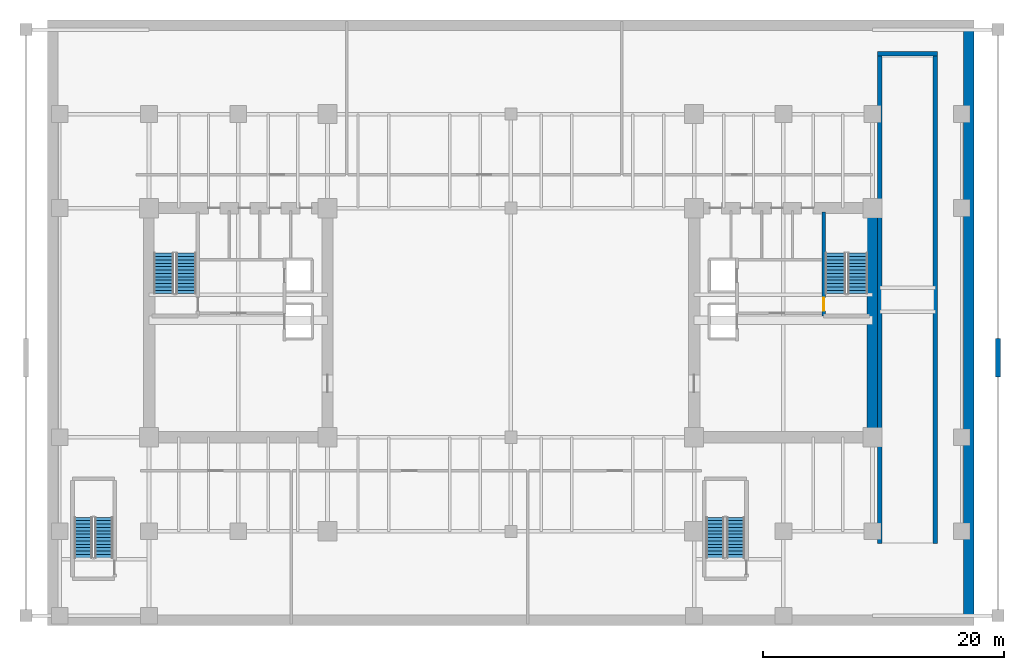
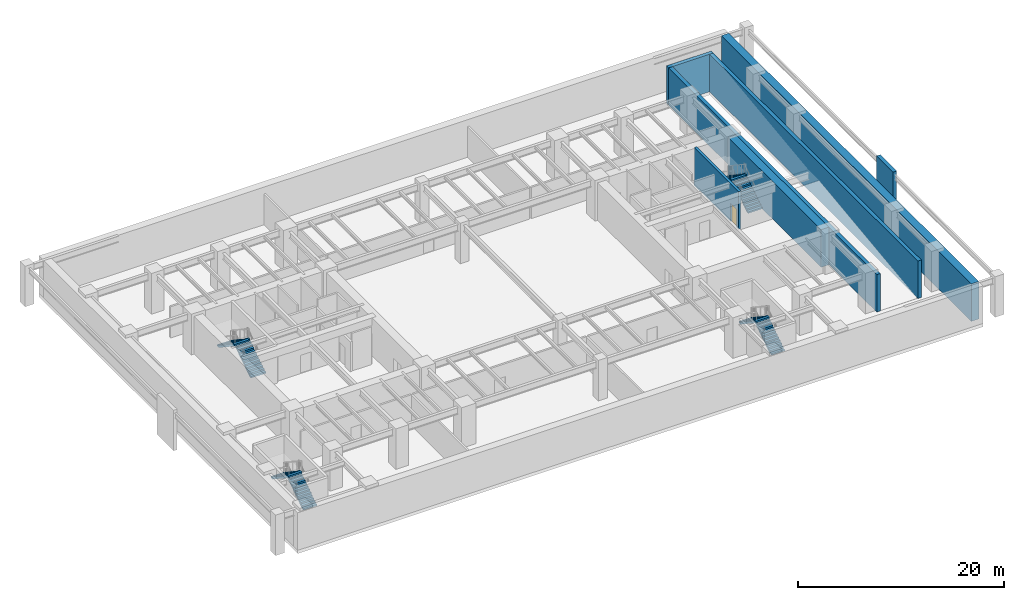
# One storey, part 5 of 7: 8 stair flights, 7 walls, 1 door, 1 opening, 4 elements without a shape of their own.
"""IFC4 building model written with IfcOpenShell, lengths in metres."""

import ifcopenshell
import ifcopenshell.guid

model = None  # the IFC model being written
_history = None  # IfcOwnerHistory: only IFC2X3 demands one
_inside = {}  # id of a spatial element -> (the spatial element, [elements in it])
_under = {}  # id of a project, library or spatial element -> (it, [spatial elements below it])
_declared = {}  # id of a project -> (the project, [libraries it declares])
_typed = {}  # id of a type object -> (the type object, [elements of that type])
_made_of = {}  # id of a material, layer set ... -> (it, [elements and type objects made of it])


def new_model(schema):
    """Start an empty IFC model of exactly this schema.

    Asked for "IFC4X3", IfcOpenShell would pick the latest addendum, in which some entities
    have other attributes; the version numbers below select the first issue.
    IFC2X3 requires an IfcOwnerHistory on every rooted entity: one is made here for all.
    """
    global model, _history
    if schema == "IFC4X3":
        model = ifcopenshell.file(schema_version=(4, 3, 0, 0))
    else:
        model = ifcopenshell.file(schema=schema)
    _inside.clear()
    _under.clear()
    _declared.clear()
    _typed.clear()
    _made_of.clear()
    _history = None
    if model.schema == "IFC2X3":
        org = make("IfcOrganization", Name="unknown")
        user = make(
            "IfcPersonAndOrganization",
            ThePerson=make("IfcPerson", FamilyName="unknown"),
            TheOrganization=org,
        )
        app = make(
            "IfcApplication",
            ApplicationDeveloper=org,
            Version="unknown",
            ApplicationFullName="unknown",
            ApplicationIdentifier="unknown",
        )
        _history = make(
            "IfcOwnerHistory",
            OwningUser=user,
            OwningApplication=app,
            ChangeAction="ADDED",
            CreationDate=0,
        )
    return model


def make(cls, **values):
    """One entity of the class cls with the attributes given. An attribute that is None is left unset."""
    return model.create_entity(
        cls, **{name: value for name, value in values.items() if value is not None}
    )


def rooted(cls, **values):
    """An entity with a GlobalId (a new one), such as an element, a storey or a relation."""
    return make(cls, GlobalId=ifcopenshell.guid.new(), OwnerHistory=_history, **values)


def si_unit(unit_type, name, prefix=None):
    """IfcSIUnit, for example si_unit("LENGTHUNIT", "METRE", prefix="MILLI")."""
    return make("IfcSIUnit", UnitType=unit_type, Prefix=prefix, Name=name)


def assignment(units):
    """IfcUnitAssignment: the units of a project."""
    return None if units is None else make("IfcUnitAssignment", Units=units)


def point(xyz):
    """IfcCartesianPoint."""
    return None if xyz is None else make("IfcCartesianPoint", Coordinates=xyz)


def direction(xyz):
    """IfcDirection."""
    return None if xyz is None else make("IfcDirection", DirectionRatios=xyz)


def frame(location, z_axis=None, x_axis=None):
    """IfcAxis2Placement3D, a coordinate frame: its origin and axes. An axis left out is left unset."""
    return make(
        "IfcAxis2Placement3D",
        Location=point(location),
        Axis=direction(z_axis),
        RefDirection=direction(x_axis),
    )


def frame_2d(location, x_axis=None):
    """IfcAxis2Placement2D, a coordinate frame in the plane: its origin and x axis."""
    return make(
        "IfcAxis2Placement2D", Location=point(location), RefDirection=direction(x_axis)
    )


def origin():
    """The frame at (0, 0, 0) with its axes left unset."""
    return frame((0.0, 0.0, 0.0))


def place(relative_to, where):
    """IfcLocalPlacement: puts the frame where relative to a parent placement (None: the world)."""
    return make(
        "IfcLocalPlacement", PlacementRelTo=relative_to, RelativePlacement=where
    )


def context(
    kind, dimensions, precision=None, world=None, true_north=None, identifier=None
):
    """IfcGeometricRepresentationContext, for example the 3D "Model" context."""
    return make(
        "IfcGeometricRepresentationContext",
        ContextIdentifier=identifier,
        ContextType=kind,
        CoordinateSpaceDimension=dimensions,
        Precision=precision,
        WorldCoordinateSystem=world,
        TrueNorth=true_north,
    )


def subcontext(parent, identifier, kind, view, scale=None):
    """IfcGeometricRepresentationSubContext, for example "Body" below "Model"."""
    return make(
        "IfcGeometricRepresentationSubContext",
        ContextIdentifier=identifier,
        ContextType=kind,
        ParentContext=parent,
        TargetScale=scale,
        TargetView=view,
    )


def project(units=None, contexts=None):
    """IfcProject with its units and contexts."""
    return rooted(
        "IfcProject",
        Name="project",
        RepresentationContexts=contexts,
        UnitsInContext=assignment(units),
    )


def spatial(cls, under=None, at=None, **own):
    """A site, building, storey or space (cls), placed at a placement, below another one or the project."""
    s = rooted(cls, ObjectPlacement=at, **own)
    if under is not None:
        _under.setdefault(under.id(), (under, []))[1].append(s)
    return s


def polyline(points):
    """IfcPolyline through the points."""
    return make("IfcPolyline", Points=[point(p) for p in points])


def profile(cls, at=None, kind="AREA", **sizes):
    """A parametric profile (cls). Its sizes go by their IFC names, for example OverallWidth=200.0."""
    return make(cls, ProfileType=kind, Position=at, **sizes)


def rectangle(**sizes):
    """IfcRectangleProfileDef."""
    return profile("IfcRectangleProfileDef", **sizes)


def outline(outer, holes=None, kind="AREA"):
    """IfcArbitraryClosedProfileDef: a profile drawn as a closed curve; with holes, ...WithVoids."""
    if holes is None:
        return make("IfcArbitraryClosedProfileDef", ProfileType=kind, OuterCurve=outer)
    return make(
        "IfcArbitraryProfileDefWithVoids",
        ProfileType=kind,
        OuterCurve=outer,
        InnerCurves=holes,
    )


def extrude(swept, where, along, depth):
    """IfcExtrudedAreaSolid: the profile swept, set in the frame where, extruded along a direction by depth."""
    return make(
        "IfcExtrudedAreaSolid",
        SweptArea=swept,
        Position=where,
        ExtrudedDirection=direction(along),
        Depth=depth,
    )


def shape(context_of_items, identifier, shape_type, items):
    """IfcShapeRepresentation: the items that make up one representation, for example the "Body"."""
    return make(
        "IfcShapeRepresentation",
        ContextOfItems=context_of_items,
        RepresentationIdentifier=identifier,
        RepresentationType=shape_type,
        Items=items,
    )


def source(mapping_origin, context_of_items, identifier, shape_type, items):
    """IfcRepresentationMap: a shape defined once, which mapped items show again and again."""
    return make(
        "IfcRepresentationMap",
        MappingOrigin=mapping_origin,
        MappedRepresentation=shape(context_of_items, identifier, shape_type, items),
    )


def transform(
    local_origin,
    x_axis=None,
    y_axis=None,
    z_axis=None,
    scale=None,
    scale2=None,
    scale3=None,
    uniform=True,
):
    """IfcCartesianTransformationOperator3D, or its non-uniform kind. x_axis, y_axis, z_axis: its Axis1, 2, 3."""
    if uniform:
        return make(
            "IfcCartesianTransformationOperator3D",
            Axis1=direction(x_axis),
            Axis2=direction(y_axis),
            LocalOrigin=point(local_origin),
            Scale=scale,
            Axis3=direction(z_axis),
        )
    return make(
        "IfcCartesianTransformationOperator3DnonUniform",
        Axis1=direction(x_axis),
        Axis2=direction(y_axis),
        LocalOrigin=point(local_origin),
        Scale=scale,
        Axis3=direction(z_axis),
        Scale2=scale2,
        Scale3=scale3,
    )


def mapped(mapping_source, mapping_target):
    """IfcMappedItem: shows the shape of a source again, moved by a transform."""
    return make(
        "IfcMappedItem", MappingSource=mapping_source, MappingTarget=mapping_target
    )


def material(Name=None, Category=None):
    """IfcMaterial."""
    return make("IfcMaterial", Name=Name, Category=Category)


def layer(
    of_material, thickness, ventilated=None, Name=None, Category=None, Priority=None
):
    """IfcMaterialLayer: one layer of a wall or slab, of a material (None: an air gap)."""
    return make(
        "IfcMaterialLayer",
        Material=of_material,
        LayerThickness=thickness,
        IsVentilated=ventilated,
        Name=Name,
        Category=Category,
        Priority=Priority,
    )


def layer_set(layers, Name=None):
    """IfcMaterialLayerSet."""
    return make("IfcMaterialLayerSet", MaterialLayers=layers, LayerSetName=Name)


def made_of(thing, what):
    """Note that an element or type object is made of a material, layer set ...; save() writes the relation."""
    if what is not None:
        _made_of.setdefault(what.id(), (what, []))[1].append(thing)
    return thing


def type_object(cls, material=None, **own):
    """A type object (cls), such as IfcWallType, which elements share."""
    return made_of(rooted(cls, **own), material)


def type_shapes(of_type, sources):
    """Give a type object the sources (RepresentationMaps) that its elements show as mapped items."""
    of_type.RepresentationMaps = sources


def element(
    cls,
    number,
    at=None,
    inside=None,
    cuts=None,
    type_object=None,
    material=None,
    context=None,
    identifier="Body",
    shape_type=None,
    held_by="IfcProductDefinitionShape",
    body=None,
    shapes=None,
    **own,
):
    """One element of the class cls, such as IfcWall. Its Tag is "e" and its number.

    at: its placement. inside: the storey or other place that contains it. cuts: it is an
    opening in that element (IfcRelVoidsElement). A single representation is given by context,
    identifier, shape_type and body (its items); several are given by shapes. held_by: the class
    of the entity that holds the representations. save() writes the other relations.
    """
    e = rooted(cls, Tag="e%d" % number, ObjectPlacement=at, **own)
    if body is not None:
        shapes = [shape(context, identifier, shape_type, body)]
    if shapes is not None:
        e.Representation = make(held_by, Representations=shapes)
    if inside is not None:
        _inside.setdefault(inside.id(), (inside, []))[1].append(e)
    if cuts is not None:
        rooted(
            "IfcRelVoidsElement", RelatingBuildingElement=cuts, RelatedOpeningElement=e
        )
    if type_object is not None:
        _typed.setdefault(type_object.id(), (type_object, []))[1].append(e)
    return made_of(e, material)


def fill(opening, filler):
    """IfcRelFillsElement: the door or window that sits in an opening."""
    return rooted(
        "IfcRelFillsElement",
        RelatingOpeningElement=opening,
        RelatedBuildingElement=filler,
    )


def aggregate(whole, parts):
    """IfcRelAggregates: a whole, such as a stair, and the parts it consists of."""
    return rooted("IfcRelAggregates", RelatingObject=whole, RelatedObjects=parts)


def save(model, path):
    """Write the relations noted so far, then the file.

    IfcRelAggregates (storeys below a building ...), IfcRelContainedInSpatialStructure (elements
    in a storey), IfcRelDefinesByType, IfcRelAssociatesMaterial and IfcRelDeclares: one each for
    every whole, place, type object, material and project.
    """
    for whole, parts in _under.values():
        aggregate(whole, parts)
    for where, things in _inside.values():
        rooted(
            "IfcRelContainedInSpatialStructure",
            RelatedElements=things,
            RelatingStructure=where,
        )
    for kind, things in _typed.values():
        rooted("IfcRelDefinesByType", RelatedObjects=things, RelatingType=kind)
    for what, things in _made_of.values():
        rooted("IfcRelAssociatesMaterial", RelatedObjects=things, RelatingMaterial=what)
    for by, libraries in _declared.values():
        rooted("IfcRelDeclares", RelatingContext=by, RelatedDefinitions=libraries)
    model.write(path)


model = new_model("IFC4")

# Units and contexts
model_context = context("Model", 3, precision=1e-05, world=origin(), true_north=direction((0.0, 1.0)))
body_context = subcontext(model_context, "Body", "Model", "MODEL_VIEW")
ifc_project = project(units=[si_unit("LENGTHUNIT", "METRE"), si_unit("AREAUNIT", "SQUARE_METRE"), si_unit("VOLUMEUNIT", "CUBIC_METRE"), si_unit("PLANEANGLEUNIT", "RADIAN"), si_unit("MASSUNIT", "GRAM", prefix="KILO")], contexts=[model_context])

# Site, building, storey
site_placement = place(None, origin())
site = spatial("IfcSite", under=ifc_project, at=site_placement, CompositionType="ELEMENT")
building_placement = place(site_placement, origin())
building = spatial("IfcBuilding", under=site, at=building_placement, Name="Haelvirn Gate Laboratories", CompositionType="ELEMENT")
storey_placement = place(building_placement, frame((0.0, 0.0, -4.800048828125)))
storey = spatial("IfcBuildingStorey", under=building, at=storey_placement, Name="B1", CompositionType="ELEMENT", Elevation=-4.800048828125)

# Walls
ifc_material_1 = material(Name="Concrete C70/85", Category="concrete")
ifc_layer_1 = layer(ifc_material_1, 0.949951171875, Name="SW-CORE-950")
ifc_layer_set_1 = layer_set([ifc_layer_1], Name="Concrete C70/85")
wall_type_1 = type_object("IfcWallType", Name="SW-CORE-950", PredefinedType="SHEAR", material=ifc_layer_set_1)
wall_1_placement = place(storey_placement, frame((67.39990234375, 15.27490234375, 0.0), z_axis=(0.0, 0.0, 1.0), x_axis=(0.0, 1.0, 0.0)))
element("IfcWall", 1, at=wall_1_placement, inside=storey, type_object=wall_type_1, Name="B1 E Core Shear Wall E", PredefinedType="SHEAR", context=body_context, shape_type="SweptSolid", body=[
    extrude(rectangle(XDim=18.050048828125, YDim=0.949951171875, at=frame_2d((9.02490234375, 0.0))), origin(), (0.0, 0.0, 1.0), 4.449951171875),
])
ifc_material_2 = material(Name="Concrete C50/60", Category="concrete")
ifc_layer_2 = layer(ifc_material_2, 0.39990234375, Name="SW-PLINTH-400")
ifc_layer_set_2 = layer_set([ifc_layer_2], Name="Concrete C50/60")
wall_type_2 = type_object("IfcWallType", Name="SW-PLINTH-400", PredefinedType="SOLIDWALL", material=ifc_layer_set_2)
wall_2_placement = place(storey_placement, frame((77.800048828125, 19.800048828125, 0.0), z_axis=(0.0, 0.0, 1.0), x_axis=(0.0, 1.0, 0.0)))
element("IfcWall", 2, at=wall_2_placement, inside=storey, type_object=wall_type_2, Name="B1 East Accessible Ramp Plinth Wall", PredefinedType="SOLIDWALL", context=body_context, shape_type="SweptSolid", body=[
    extrude(rectangle(XDim=3.199951171875, YDim=0.39990234375, at=frame_2d((1.60009765625, 0.0))), origin(), (0.0, 0.0, 1.0), 4.7900390625),
])
ifc_layer_3 = layer(ifc_material_2, 0.39990234375, Name="SW-RAMP-400")
ifc_layer_set_3 = layer_set([ifc_layer_3], Name="Concrete C50/60")
wall_type_3 = type_object("IfcWallType", Name="SW-RAMP-400", PredefinedType="SHEAR", material=ifc_layer_set_3)
for number, where, z_axis, x_axis, name in (
    (3, (68.0, 6.0, 0.0), (0.0, 0.0, 1.0), (0.0, 1.0, 0.0), "B1 Vehicle Ramp Enclosure Wall W"),
    (4, (72.60009765625, 6.0, 0.0), (0.0, 0.0, 1.0), (0.0, 1.0, 0.0), "B1 Vehicle Ramp Enclosure Wall E"),
):
    element("IfcWall", number, at=place(storey_placement, frame(where, z_axis=z_axis, x_axis=x_axis)), inside=storey, type_object=wall_type_3, Name=name, PredefinedType="SHEAR", context=body_context, shape_type="SweptSolid", body=[
        extrude(rectangle(XDim=40.39990234375, YDim=0.39990234375, at=frame_2d((20.199951171875, 0.0))), origin(), (0.0, 0.0, 1.0), 4.449951171875),
    ])
wall_3_placement = place(storey_placement, frame((67.800048828125, 46.60009765625, 0.0), z_axis=(0.0, 0.0, 1.0), x_axis=(1.0, 0.0, 0.0)))
element("IfcWall", 5, at=wall_3_placement, inside=storey, type_object=wall_type_3, Name="B1 Vehicle Ramp Headwall North", PredefinedType="SHEAR", context=body_context, shape_type="SweptSolid", body=[
    extrude(rectangle(XDim=5.0, YDim=0.39990234375, at=frame_2d((2.5, 0.0))), origin(), (0.0, 0.0, 1.0), 4.449951171875),
])
ifc_layer_4 = layer(ifc_material_2, 0.85009765625, Name="SW-RET-850")
ifc_layer_set_4 = layer_set([ifc_layer_4], Name="Concrete C50/60")
wall_type_4 = type_object("IfcWallType", Name="SW-RET-850", PredefinedType="SOLIDWALL", material=ifc_layer_set_4)
wall_4_placement = place(storey_placement, frame((75.375, 0.050048828125, 0.0), z_axis=(0.0, 0.0, 1.0), x_axis=(0.0, 1.0, 0.0)))
element("IfcWall", 6, at=wall_4_placement, inside=storey, type_object=wall_type_4, Name="B1 Perimeter Diaphragm Wall E", PredefinedType="SOLIDWALL", context=body_context, shape_type="SweptSolid", body=[
    extrude(rectangle(XDim=48.5, YDim=0.85009765625, at=frame_2d((24.25, 0.0))), origin(), (0.0, 0.0, 1.0), 4.449951171875),
])

# Wall, opening, door
ifc_layer_5 = layer(ifc_material_2, 0.300048828125, Name="SW-STAIR-300")
ifc_layer_set_5 = layer_set([ifc_layer_5], Name="Concrete C50/60")
wall_type_5 = type_object("IfcWallType", Name="SW-STAIR-300", PredefinedType="SHEAR", material=ifc_layer_set_5)
wall_5_placement = place(storey_placement, frame((63.35009765625, 24.85009765625, 0.0), z_axis=(0.0, 0.0, 1.0), x_axis=(0.0, 1.0, 0.0)))
wall_5 = element("IfcWall", 7, at=wall_5_placement, inside=storey, type_object=wall_type_5, Name="B1 E Core Stair Shaft Structural Wall IN", PredefinedType="SHEAR", context=body_context, shape_type="SweptSolid", body=[
    extrude(rectangle(XDim=8.6298828125, YDim=0.300048828125, at=frame_2d((4.31494140625, 0.0))), origin(), (0.0, 0.0, 1.0), 4.449951171875),
])
opening_placement = place(wall_5_placement, frame((0.419921875, 0.0, 0.0)))
opening = element("IfcOpeningElement", 8, at=opening_placement, cuts=wall_5, Name="Opening FD3", PredefinedType="OPENING", context=body_context, shape_type="SweptSolid", body=[
    extrude(rectangle(XDim=1.10009765625, YDim=2.14990234375, at=frame_2d((0.550048828125, 1.074951171875))), frame((0.0, 0.16015625, 0.0), z_axis=(0.0, -1.0, 0.0), x_axis=(1.0, 0.0, 0.0)), (0.0, 0.0, 1.0), 0.320068359375),
])
ifc_material_3 = material(Name="Fire-rated steel SM355 escape stair door", Category="steel")
door_type = type_object("IfcDoorType", Name="DR-FD-1100", OperationType="NOTDEFINED", PredefinedType="DOOR", material=ifc_material_3)
shared_shape_1 = source(origin(), body_context, "Body", "SweptSolid", [
    extrude(rectangle(XDim=1.10009765625, YDim=2.14990234375, at=frame_2d((0.550048828125, 1.074951171875))), frame((0.0, 0.02490234375, 0.0), z_axis=(0.0, -1.0, 0.0), x_axis=(1.0, 0.0, 0.0)), (0.0, 0.0, 1.0), 0.050048828125),
])
type_shapes(door_type, [shared_shape_1])
door_placement = place(opening_placement, origin())
door = element("IfcDoor", 9, at=door_placement, inside=storey, type_object=door_type, Name="B1 Escape Stair ST2 Fire Door", OperationType="SINGLE_SWING_RIGHT", OverallHeight=2.14990234375, OverallWidth=1.10009765625, PredefinedType="DOOR", context=body_context, shape_type="MappedRepresentation", body=[
    mapped(shared_shape_1, transform((0.0, 0.0, 0.0), scale=1.0)),
])
fill(opening, door)

# Stair, stair flights
ifc_material_4 = material(Name="Concrete C40/50", Category="concrete")
stair_type_1 = type_object("IfcStairType", Name="ST-DOG-1650-R26", PredefinedType="HALF_TURN_STAIR", material=ifc_material_4)
stair_1_placement = place(storey_placement, origin())
stair_1 = element("IfcStair", 10, at=stair_1_placement, inside=storey, type_object=stair_type_1, Name="B1 Escape Stair ST1", PredefinedType="HALF_TURN_STAIR")
stair_flight_type_1 = type_object("IfcStairFlightType", Name="STF-1650-R13", PredefinedType="STRAIGHT", material=ifc_material_4)
shared_shape_2 = source(origin(), body_context, "Body", "SweptSolid", [
    extrude(outline(polyline([(0.0, 0.0), (0.0, 0.1845703125), (0.280029296875, 0.1845703125), (0.280029296875, 0.369140625), (0.56005859375, 0.369140625), (0.56005859375, 0.553955078125), (0.840087890625, 0.553955078125), (0.840087890625, 0.738525390625), (1.1201171875, 0.738525390625), (1.1201171875, 0.923095703125), (1.39990234375, 0.923095703125), (1.39990234375, 1.107666015625), (1.679931640625, 1.107666015625), (1.679931640625, 1.292236328125), (1.9599609375, 1.292236328125), (1.9599609375, 1.476806640625), (2.239990234375, 1.476806640625), (2.239990234375, 1.66162109375), (2.52001953125, 1.66162109375), (2.52001953125, 1.84619140625), (2.800048828125, 1.84619140625), (2.800048828125, 2.03076171875), (3.080078125, 2.03076171875), (3.080078125, 2.21533203125), (3.360107421875, 2.21533203125), (3.360107421875, 2.39990234375), (3.360107421875, 2.02392578125), (0.29052734375, 0.0), (0.0, 0.0)])), frame((0.0, 0.824951171875, 0.0), z_axis=(0.0, -1.0, 0.0), x_axis=(1.0, 0.0, 0.0)), (0.0, 0.0, 1.0), 1.64990234375),
])
type_shapes(stair_flight_type_1, [shared_shape_2])
stair_flight_1_placement = place(storey_placement, frame((10.47509765625, 26.699951171875, 0.0), z_axis=(0.0, 0.0, 1.0), x_axis=(0.0, 1.0, 0.0)))
stair_flight_1 = element("IfcStairFlight", 11, at=stair_flight_1_placement, type_object=stair_flight_type_1, Name="ST1 flight 1", NumberOfRisers=13, NumberOfTreads=12, PredefinedType="STRAIGHT", RiserHeight=0.184615385, TreadLength=0.28, context=body_context, shape_type="MappedRepresentation", body=[
    mapped(shared_shape_2, transform((0.0, 0.0, 0.0), scale=1.0)),
])
stair_flight_2_placement = place(storey_placement, frame((8.625, 30.06005859375, 2.400146484375), z_axis=(0.0, 0.0, 1.0), x_axis=(0.0, -1.0, 0.0)))
stair_flight_2 = element("IfcStairFlight", 12, at=stair_flight_2_placement, type_object=stair_flight_type_1, Name="ST1 flight 2", NumberOfRisers=13, NumberOfTreads=12, PredefinedType="STRAIGHT", RiserHeight=0.184615385, TreadLength=0.28, context=body_context, shape_type="MappedRepresentation", body=[
    mapped(shared_shape_2, transform((0.0, 0.0, 0.0), scale=1.0)),
])
aggregate(stair_1, [stair_flight_1, stair_flight_2])

stair_2_placement = place(storey_placement, origin())
stair_2 = element("IfcStair", 13, at=stair_2_placement, inside=storey, type_object=stair_type_1, Name="B1 Escape Stair ST2", PredefinedType="HALF_TURN_STAIR")
stair_flight_3_placement = place(storey_placement, frame((66.175048828125, 26.699951171875, 0.0), z_axis=(0.0, 0.0, 1.0), x_axis=(0.0, 1.0, 0.0)))
stair_flight_3 = element("IfcStairFlight", 14, at=stair_flight_3_placement, type_object=stair_flight_type_1, Name="ST2 flight 1", NumberOfRisers=13, NumberOfTreads=12, PredefinedType="STRAIGHT", RiserHeight=0.184615385, TreadLength=0.28, context=body_context, shape_type="MappedRepresentation", body=[
    mapped(shared_shape_2, transform((0.0, 0.0, 0.0), scale=1.0)),
])
stair_flight_4_placement = place(storey_placement, frame((64.324951171875, 30.06005859375, 2.400146484375), z_axis=(0.0, 0.0, 1.0), x_axis=(0.0, -1.0, 0.0)))
stair_flight_4 = element("IfcStairFlight", 15, at=stair_flight_4_placement, type_object=stair_flight_type_1, Name="ST2 flight 2", NumberOfRisers=13, NumberOfTreads=12, PredefinedType="STRAIGHT", RiserHeight=0.184615385, TreadLength=0.28, context=body_context, shape_type="MappedRepresentation", body=[
    mapped(shared_shape_2, transform((0.0, 0.0, 0.0), scale=1.0)),
])
aggregate(stair_2, [stair_flight_3, stair_flight_4])

stair_type_2 = type_object("IfcStairType", Name="ST-DOG-1500-R26", PredefinedType="HALF_TURN_STAIR", material=ifc_material_4)
stair_3_placement = place(storey_placement, origin())
stair_3 = element("IfcStair", 16, at=stair_3_placement, inside=storey, type_object=stair_type_2, Name="B1 Escape Stair ST3", PredefinedType="HALF_TURN_STAIR")
stair_flight_type_2 = type_object("IfcStairFlightType", Name="STF-1500-R13", PredefinedType="STRAIGHT", material=ifc_material_4)
shared_shape_3 = source(origin(), body_context, "Body", "SweptSolid", [
    extrude(outline(polyline([(0.0, 0.0), (0.0, 0.1845703125), (0.280029296875, 0.1845703125), (0.280029296875, 0.369140625), (0.56005859375, 0.369140625), (0.56005859375, 0.553955078125), (0.840087890625, 0.553955078125), (0.840087890625, 0.738525390625), (1.1201171875, 0.738525390625), (1.1201171875, 0.923095703125), (1.39990234375, 0.923095703125), (1.39990234375, 1.107666015625), (1.679931640625, 1.107666015625), (1.679931640625, 1.292236328125), (1.9599609375, 1.292236328125), (1.9599609375, 1.476806640625), (2.239990234375, 1.476806640625), (2.239990234375, 1.66162109375), (2.52001953125, 1.66162109375), (2.52001953125, 1.84619140625), (2.800048828125, 1.84619140625), (2.800048828125, 2.03076171875), (3.080078125, 2.03076171875), (3.080078125, 2.21533203125), (3.360107421875, 2.21533203125), (3.360107421875, 2.39990234375), (3.360107421875, 2.02392578125), (0.29052734375, 0.0), (0.0, 0.0)])), frame((0.0, 0.75, 0.0), z_axis=(0.0, -1.0, 0.0), x_axis=(1.0, 0.0, 0.0)), (0.0, 0.0, 1.0), 1.5),
])
type_shapes(stair_flight_type_2, [shared_shape_3])
stair_flight_5_placement = place(storey_placement, frame((3.64990234375, 4.800048828125, 0.0), z_axis=(0.0, 0.0, 1.0), x_axis=(0.0, 1.0, 0.0)))
stair_flight_5 = element("IfcStairFlight", 17, at=stair_flight_5_placement, type_object=stair_flight_type_2, Name="ST3 flight 1", NumberOfRisers=13, NumberOfTreads=12, PredefinedType="STRAIGHT", RiserHeight=0.184615385, TreadLength=0.28, context=body_context, shape_type="MappedRepresentation", body=[
    mapped(shared_shape_3, transform((0.0, 0.0, 0.0), scale=1.0)),
])
stair_flight_6_placement = place(storey_placement, frame((1.949951171875, 8.159912109375, 2.400146484375), z_axis=(0.0, 0.0, 1.0), x_axis=(0.0, -1.0, 0.0)))
stair_flight_6 = element("IfcStairFlight", 18, at=stair_flight_6_placement, type_object=stair_flight_type_2, Name="ST3 flight 2", NumberOfRisers=13, NumberOfTreads=12, PredefinedType="STRAIGHT", RiserHeight=0.184615385, TreadLength=0.28, context=body_context, shape_type="MappedRepresentation", body=[
    mapped(shared_shape_3, transform((0.0, 0.0, 0.0), scale=1.0)),
])
aggregate(stair_3, [stair_flight_5, stair_flight_6])

stair_4_placement = place(storey_placement, origin())
stair_4 = element("IfcStair", 19, at=stair_4_placement, inside=storey, type_object=stair_type_2, Name="B1 Escape Stair ST4", PredefinedType="HALF_TURN_STAIR")
stair_flight_7_placement = place(storey_placement, frame((56.050048828125, 4.800048828125, 0.0), z_axis=(0.0, 0.0, 1.0), x_axis=(0.0, 1.0, 0.0)))
stair_flight_7 = element("IfcStairFlight", 20, at=stair_flight_7_placement, type_object=stair_flight_type_2, Name="ST4 flight 1", NumberOfRisers=13, NumberOfTreads=12, PredefinedType="STRAIGHT", RiserHeight=0.184615385, TreadLength=0.28, context=body_context, shape_type="MappedRepresentation", body=[
    mapped(shared_shape_3, transform((0.0, 0.0, 0.0), scale=1.0)),
])
stair_flight_8_placement = place(storey_placement, frame((54.35009765625, 8.159912109375, 2.400146484375), z_axis=(0.0, 0.0, 1.0), x_axis=(0.0, -1.0, 0.0)))
stair_flight_8 = element("IfcStairFlight", 21, at=stair_flight_8_placement, type_object=stair_flight_type_2, Name="ST4 flight 2", NumberOfRisers=13, NumberOfTreads=12, PredefinedType="STRAIGHT", RiserHeight=0.184615385, TreadLength=0.28, context=body_context, shape_type="MappedRepresentation", body=[
    mapped(shared_shape_3, transform((0.0, 0.0, 0.0), scale=1.0)),
])
aggregate(stair_4, [stair_flight_7, stair_flight_8])

save(model, "model.ifc")
